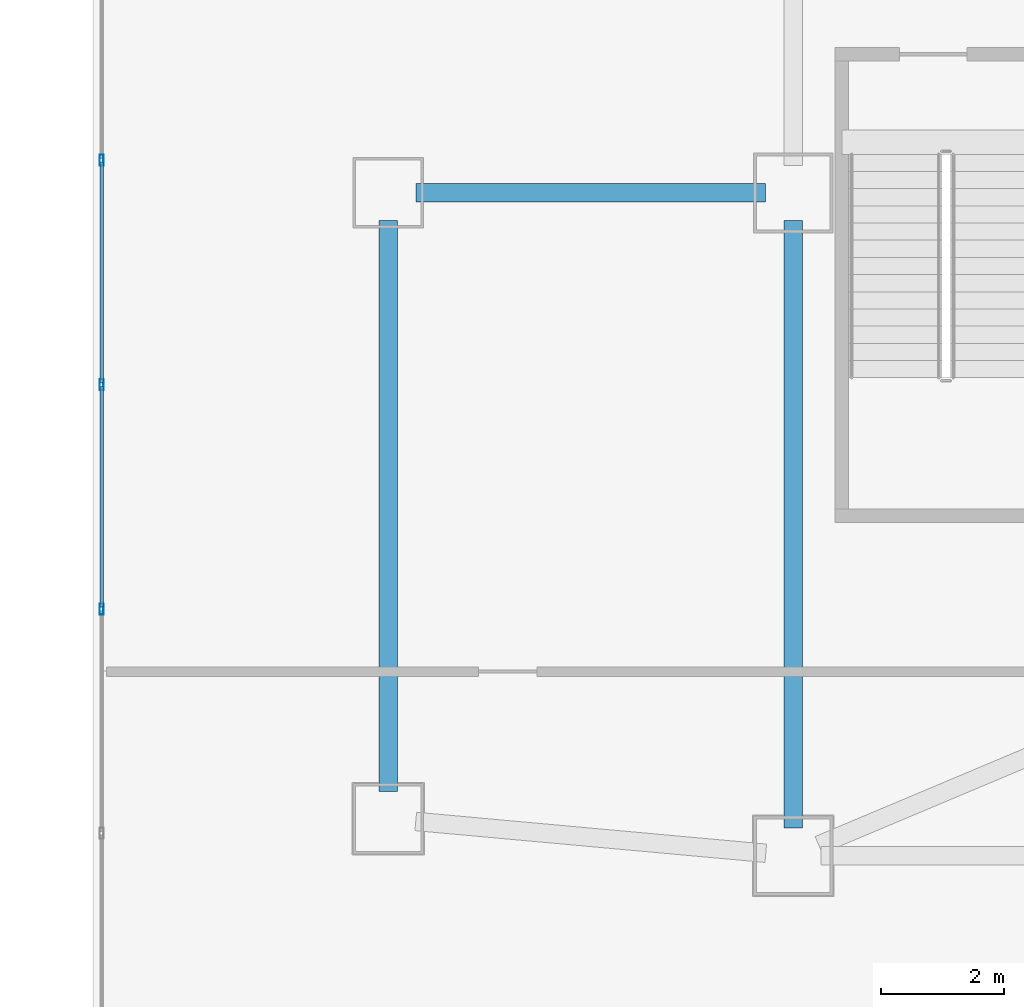
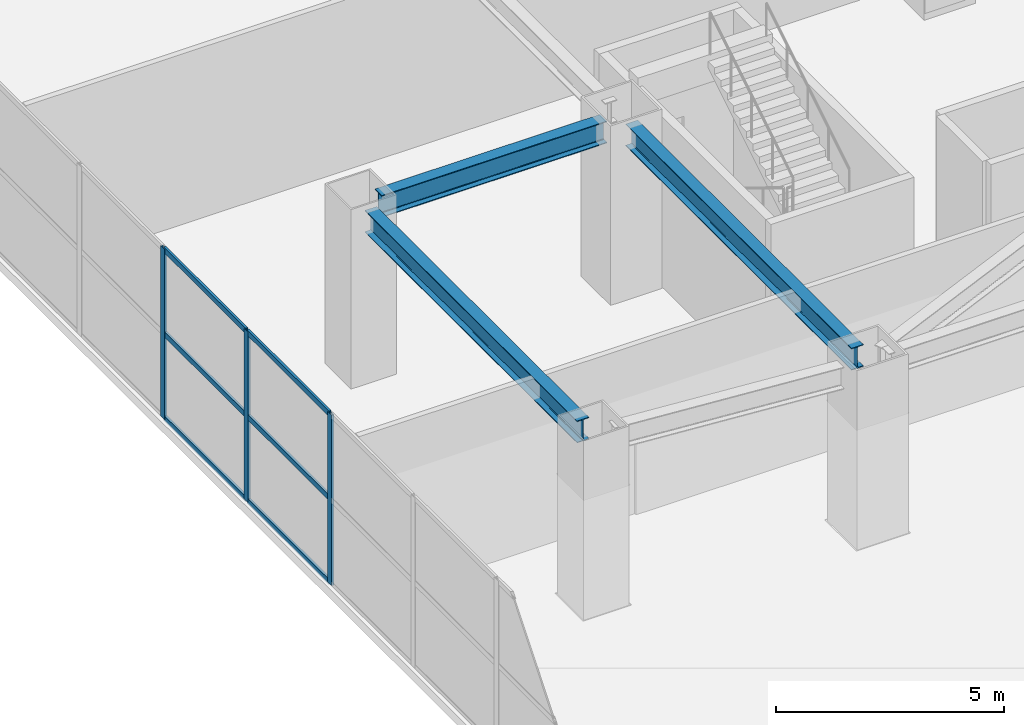
# One storey, part 6 of 31: 9 members, 3 beams, 1 element without a shape of its own.
"""IFC4 building model written with IfcOpenShell, lengths in metres."""

import ifcopenshell
import ifcopenshell.guid

model = None  # the IFC model being written
_history = None  # IfcOwnerHistory: only IFC2X3 demands one
_inside = {}  # id of a spatial element -> (the spatial element, [elements in it])
_under = {}  # id of a project, library or spatial element -> (it, [spatial elements below it])
_declared = {}  # id of a project -> (the project, [libraries it declares])
_typed = {}  # id of a type object -> (the type object, [elements of that type])
_made_of = {}  # id of a material, layer set ... -> (it, [elements and type objects made of it])


def new_model(schema):
    """Start an empty IFC model of exactly this schema.

    Asked for "IFC4X3", IfcOpenShell would pick the latest addendum, in which some entities
    have other attributes; the version numbers below select the first issue.
    IFC2X3 requires an IfcOwnerHistory on every rooted entity: one is made here for all.
    """
    global model, _history
    if schema == "IFC4X3":
        model = ifcopenshell.file(schema_version=(4, 3, 0, 0))
    else:
        model = ifcopenshell.file(schema=schema)
    _inside.clear()
    _under.clear()
    _declared.clear()
    _typed.clear()
    _made_of.clear()
    _history = None
    if model.schema == "IFC2X3":
        org = make("IfcOrganization", Name="unknown")
        user = make(
            "IfcPersonAndOrganization",
            ThePerson=make("IfcPerson", FamilyName="unknown"),
            TheOrganization=org,
        )
        app = make(
            "IfcApplication",
            ApplicationDeveloper=org,
            Version="unknown",
            ApplicationFullName="unknown",
            ApplicationIdentifier="unknown",
        )
        _history = make(
            "IfcOwnerHistory",
            OwningUser=user,
            OwningApplication=app,
            ChangeAction="ADDED",
            CreationDate=0,
        )
    return model


def make(cls, **values):
    """One entity of the class cls with the attributes given. An attribute that is None is left unset."""
    return model.create_entity(
        cls, **{name: value for name, value in values.items() if value is not None}
    )


def rooted(cls, **values):
    """An entity with a GlobalId (a new one), such as an element, a storey or a relation."""
    return make(cls, GlobalId=ifcopenshell.guid.new(), OwnerHistory=_history, **values)


def si_unit(unit_type, name, prefix=None):
    """IfcSIUnit, for example si_unit("LENGTHUNIT", "METRE", prefix="MILLI")."""
    return make("IfcSIUnit", UnitType=unit_type, Prefix=prefix, Name=name)


def assignment(units):
    """IfcUnitAssignment: the units of a project."""
    return None if units is None else make("IfcUnitAssignment", Units=units)


def point(xyz):
    """IfcCartesianPoint."""
    return None if xyz is None else make("IfcCartesianPoint", Coordinates=xyz)


def direction(xyz):
    """IfcDirection."""
    return None if xyz is None else make("IfcDirection", DirectionRatios=xyz)


def frame(location, z_axis=None, x_axis=None):
    """IfcAxis2Placement3D, a coordinate frame: its origin and axes. An axis left out is left unset."""
    return make(
        "IfcAxis2Placement3D",
        Location=point(location),
        Axis=direction(z_axis),
        RefDirection=direction(x_axis),
    )


def frame_2d(location, x_axis=None):
    """IfcAxis2Placement2D, a coordinate frame in the plane: its origin and x axis."""
    return make(
        "IfcAxis2Placement2D", Location=point(location), RefDirection=direction(x_axis)
    )


def origin():
    """The frame at (0, 0, 0) with its axes left unset."""
    return frame((0.0, 0.0, 0.0))


def origin_2d():
    """The frame at (0, 0) in the plane with its x axis left unset."""
    return frame_2d((0.0, 0.0))


def place(relative_to, where):
    """IfcLocalPlacement: puts the frame where relative to a parent placement (None: the world)."""
    return make(
        "IfcLocalPlacement", PlacementRelTo=relative_to, RelativePlacement=where
    )


def context(
    kind, dimensions, precision=None, world=None, true_north=None, identifier=None
):
    """IfcGeometricRepresentationContext, for example the 3D "Model" context."""
    return make(
        "IfcGeometricRepresentationContext",
        ContextIdentifier=identifier,
        ContextType=kind,
        CoordinateSpaceDimension=dimensions,
        Precision=precision,
        WorldCoordinateSystem=world,
        TrueNorth=true_north,
    )


def subcontext(parent, identifier, kind, view, scale=None):
    """IfcGeometricRepresentationSubContext, for example "Body" below "Model"."""
    return make(
        "IfcGeometricRepresentationSubContext",
        ContextIdentifier=identifier,
        ContextType=kind,
        ParentContext=parent,
        TargetScale=scale,
        TargetView=view,
    )


def project(units=None, contexts=None):
    """IfcProject with its units and contexts."""
    return rooted(
        "IfcProject",
        Name="project",
        RepresentationContexts=contexts,
        UnitsInContext=assignment(units),
    )


def spatial(cls, under=None, at=None, **own):
    """A site, building, storey or space (cls), placed at a placement, below another one or the project."""
    s = rooted(cls, ObjectPlacement=at, **own)
    if under is not None:
        _under.setdefault(under.id(), (under, []))[1].append(s)
    return s


def profile(cls, at=None, kind="AREA", **sizes):
    """A parametric profile (cls). Its sizes go by their IFC names, for example OverallWidth=200.0."""
    return make(cls, ProfileType=kind, Position=at, **sizes)


def hollow_rectangle(**sizes):
    """IfcRectangleHollowProfileDef."""
    return profile("IfcRectangleHollowProfileDef", **sizes)


def i_section(**sizes):
    """IfcIShapeProfileDef."""
    return profile("IfcIShapeProfileDef", **sizes)


def extrude(swept, where, along, depth):
    """IfcExtrudedAreaSolid: the profile swept, set in the frame where, extruded along a direction by depth."""
    return make(
        "IfcExtrudedAreaSolid",
        SweptArea=swept,
        Position=where,
        ExtrudedDirection=direction(along),
        Depth=depth,
    )


def shape(context_of_items, identifier, shape_type, items):
    """IfcShapeRepresentation: the items that make up one representation, for example the "Body"."""
    return make(
        "IfcShapeRepresentation",
        ContextOfItems=context_of_items,
        RepresentationIdentifier=identifier,
        RepresentationType=shape_type,
        Items=items,
    )


def material(Name=None, Category=None):
    """IfcMaterial."""
    return make("IfcMaterial", Name=Name, Category=Category)


def layer(
    of_material, thickness, ventilated=None, Name=None, Category=None, Priority=None
):
    """IfcMaterialLayer: one layer of a wall or slab, of a material (None: an air gap)."""
    return make(
        "IfcMaterialLayer",
        Material=of_material,
        LayerThickness=thickness,
        IsVentilated=ventilated,
        Name=Name,
        Category=Category,
        Priority=Priority,
    )


def layer_set(layers, Name=None):
    """IfcMaterialLayerSet."""
    return make("IfcMaterialLayerSet", MaterialLayers=layers, LayerSetName=Name)


def material_profile(
    of_material, cross_section, Name=None, Category=None, Priority=None
):
    """IfcMaterialProfile: a cross section and its material."""
    return make(
        "IfcMaterialProfile",
        Name=Name,
        Material=of_material,
        Profile=cross_section,
        Priority=Priority,
        Category=Category,
    )


def profile_set(profiles, Name=None, composite=None):
    """IfcMaterialProfileSet."""
    return make(
        "IfcMaterialProfileSet",
        Name=Name,
        MaterialProfiles=profiles,
        CompositeProfile=composite,
    )


def made_of(thing, what):
    """Note that an element or type object is made of a material, layer set ...; save() writes the relation."""
    if what is not None:
        _made_of.setdefault(what.id(), (what, []))[1].append(thing)
    return thing


def type_object(cls, material=None, **own):
    """A type object (cls), such as IfcWallType, which elements share."""
    return made_of(rooted(cls, **own), material)


def element(
    cls,
    number,
    at=None,
    inside=None,
    cuts=None,
    type_object=None,
    material=None,
    context=None,
    identifier="Body",
    shape_type=None,
    held_by="IfcProductDefinitionShape",
    body=None,
    shapes=None,
    **own,
):
    """One element of the class cls, such as IfcWall. Its Tag is "e" and its number.

    at: its placement. inside: the storey or other place that contains it. cuts: it is an
    opening in that element (IfcRelVoidsElement). A single representation is given by context,
    identifier, shape_type and body (its items); several are given by shapes. held_by: the class
    of the entity that holds the representations. save() writes the other relations.
    """
    e = rooted(cls, Tag="e%d" % number, ObjectPlacement=at, **own)
    if body is not None:
        shapes = [shape(context, identifier, shape_type, body)]
    if shapes is not None:
        e.Representation = make(held_by, Representations=shapes)
    if inside is not None:
        _inside.setdefault(inside.id(), (inside, []))[1].append(e)
    if cuts is not None:
        rooted(
            "IfcRelVoidsElement", RelatingBuildingElement=cuts, RelatedOpeningElement=e
        )
    if type_object is not None:
        _typed.setdefault(type_object.id(), (type_object, []))[1].append(e)
    return made_of(e, material)


def aggregate(whole, parts):
    """IfcRelAggregates: a whole, such as a stair, and the parts it consists of."""
    return rooted("IfcRelAggregates", RelatingObject=whole, RelatedObjects=parts)


def save(model, path):
    """Write the relations noted so far, then the file.

    IfcRelAggregates (storeys below a building ...), IfcRelContainedInSpatialStructure (elements
    in a storey), IfcRelDefinesByType, IfcRelAssociatesMaterial and IfcRelDeclares: one each for
    every whole, place, type object, material and project.
    """
    for whole, parts in _under.values():
        aggregate(whole, parts)
    for where, things in _inside.values():
        rooted(
            "IfcRelContainedInSpatialStructure",
            RelatedElements=things,
            RelatingStructure=where,
        )
    for kind, things in _typed.values():
        rooted("IfcRelDefinesByType", RelatedObjects=things, RelatingType=kind)
    for what, things in _made_of.values():
        rooted("IfcRelAssociatesMaterial", RelatedObjects=things, RelatingMaterial=what)
    for by, libraries in _declared.values():
        rooted("IfcRelDeclares", RelatingContext=by, RelatedDefinitions=libraries)
    model.write(path)


model = new_model("IFC4")

# Units and contexts
model_context = context("Model", 3, precision=1e-05, world=origin(), true_north=direction((0.0, 1.0)))
body_context = subcontext(model_context, "Body", "Model", "MODEL_VIEW")
ifc_project = project(units=[si_unit("LENGTHUNIT", "METRE"), si_unit("AREAUNIT", "SQUARE_METRE"), si_unit("VOLUMEUNIT", "CUBIC_METRE"), si_unit("PLANEANGLEUNIT", "RADIAN"), si_unit("MASSUNIT", "GRAM", prefix="KILO")], contexts=[model_context])

# Site, building, storey
site_placement = place(None, origin())
site = spatial("IfcSite", under=ifc_project, at=site_placement, CompositionType="ELEMENT")
building_placement = place(site_placement, origin())
building = spatial("IfcBuilding", under=site, at=building_placement, Name="Haolan Belvedere Tower", CompositionType="ELEMENT")
storey_placement = place(building_placement, frame((0.0, 0.0, 5.39990234375)))
storey = spatial("IfcBuildingStorey", under=building, at=storey_placement, Name="L01", CompositionType="ELEMENT", Elevation=5.39990234375)

# Beams
ifc_material_1 = material(Name="Steel Q355B", Category="steel")
ifc_material_profile_1 = material_profile(ifc_material_1, i_section(OverallWidth=0.300048828125, OverallDepth=0.587890625, WebThickness=0.011962890625, FlangeThickness=0.02001953125, FilletRadius=0.028076171875, at=origin_2d()), Name="Steel Q355B")
ifc_profile_set_1 = profile_set([ifc_material_profile_1], Name="Steel Q355B")
beam_type = type_object("IfcBeamType", Name="BM-HM588x300x12x20", PredefinedType="SPANDREL", material=ifc_profile_set_1)
beam_1_placement = place(storey_placement, frame((12.60009765625, 17.25, 4.26611328125), z_axis=(0.0, 1.0, 0.0), x_axis=(-1.0, 0.0, 0.0)))
element("IfcBeam", 1, at=beam_1_placement, inside=storey, type_object=beam_type, Name="L01 spandrel girder MC-T2-SW-MC-T2-MW", PredefinedType="SPANDREL", context=body_context, shape_type="SweptSolid", body=[
    extrude(i_section(OverallWidth=0.300048828125, OverallDepth=0.587890625, WebThickness=0.011962890625, FlangeThickness=0.02001953125, FilletRadius=0.028076171875, at=origin_2d()), origin(), (0.0, 0.0, 1.0), 9.89990234375),
])
beam_2_placement = place(storey_placement, frame((6.0, 17.85009765625, 4.26611328125), z_axis=(0.0, 1.0, 0.0), x_axis=(-1.0, 0.0, 0.0)))
element("IfcBeam", 2, at=beam_2_placement, inside=storey, type_object=beam_type, Name="L01 spandrel girder MC-T1-SW-MC-T1-NW", PredefinedType="SPANDREL", context=body_context, shape_type="SweptSolid", body=[
    extrude(i_section(OverallWidth=0.300048828125, OverallDepth=0.587890625, WebThickness=0.011962890625, FlangeThickness=0.02001953125, FilletRadius=0.028076171875, at=origin_2d()), origin(), (0.0, 0.0, 1.0), 9.2998046875),
])
beam_3_placement = place(storey_placement, frame((6.449951171875, 27.60009765625, 4.26611328125), z_axis=(1.0, 0.0, 0.0), x_axis=(0.0, 1.0, 0.0)))
element("IfcBeam", 3, at=beam_3_placement, inside=storey, type_object=beam_type, Name="L01 spandrel girder MC-T1-NW-MC-T2-MW", PredefinedType="SPANDREL", context=body_context, shape_type="SweptSolid", body=[
    extrude(i_section(OverallWidth=0.300048828125, OverallDepth=0.587890625, WebThickness=0.011962890625, FlangeThickness=0.02001953125, FilletRadius=0.028076171875, at=origin_2d()), origin(), (0.0, 0.0, 1.0), 5.699951171875),
])

# Curtain wall, members
ifc_material_2 = material(Name="Anodised champagne-silver aluminium 6063-T6 and Low-E glass", Category="aluminium")
ifc_layer = layer(ifc_material_2, 0.179931640625, Name="Anodised champagne-silver aluminium 6063-T6 and Low-E glass")
ifc_layer_set = layer_set([ifc_layer], Name="Anodised champagne-silver aluminium 6063-T6 and Low-E glass")
curtain_wall_type = type_object("IfcCurtainWallType", Name="CW-SYS-01", PredefinedType="NOTDEFINED", material=ifc_layer_set)
curtain_wall_placement = place(storey_placement, origin())
curtain_wall = element("IfcCurtainWall", 4, at=curtain_wall_placement, inside=storey, type_object=curtain_wall_type, Name="L01 CW-SYS-01 ribbon curtain wall 4.1", PredefinedType="NOTDEFINED")
ifc_material_3 = material(Name="Anodised aluminium 6063-T6", Category="aluminium")
ifc_material_profile_2 = material_profile(ifc_material_3, hollow_rectangle(XDim=0.06494140625, YDim=0.179931640625, WallThickness=0.00390625, at=origin_2d()), Name="Anodised aluminium 6063-T6")
ifc_profile_set_2 = profile_set([ifc_material_profile_2], Name="Anodised aluminium 6063-T6")
member_type_1 = type_object("IfcMemberType", Name="CW-SYS-01-MUL", PredefinedType="MULLION", material=ifc_profile_set_2)
member_1_placement = place(storey_placement, frame((1.330078125, 28.133544921875, 0.0), z_axis=(0.0, 0.0, 1.0), x_axis=(1.0, 0.0, 0.0)))
member_1 = element("IfcMember", 5, at=member_1_placement, type_object=member_type_1, Name="CW-01 mullion 8", PredefinedType="MULLION", context=body_context, shape_type="SweptSolid", body=[
    extrude(hollow_rectangle(XDim=0.06494140625, YDim=0.179931640625, WallThickness=0.00390625, at=origin_2d()), origin(), (0.0, 0.0, 1.0), 4.56005859375),
])
member_2_placement = place(storey_placement, frame((1.330078125, 24.47705078125, 0.0), z_axis=(0.0, 0.0, 1.0), x_axis=(1.0, 0.0, 0.0)))
member_2 = element("IfcMember", 6, at=member_2_placement, type_object=member_type_1, Name="CW-01 mullion 9", PredefinedType="MULLION", context=body_context, shape_type="SweptSolid", body=[
    extrude(hollow_rectangle(XDim=0.06494140625, YDim=0.179931640625, WallThickness=0.00390625, at=origin_2d()), origin(), (0.0, 0.0, 1.0), 4.56005859375),
])
member_3_placement = place(storey_placement, frame((1.330078125, 20.8203125, 0.0), z_axis=(0.0, 0.0, 1.0), x_axis=(1.0, 0.0, 0.0)))
member_3 = element("IfcMember", 7, at=member_3_placement, type_object=member_type_1, Name="CW-01 mullion 10", PredefinedType="MULLION", context=body_context, shape_type="SweptSolid", body=[
    extrude(hollow_rectangle(XDim=0.06494140625, YDim=0.179931640625, WallThickness=0.00390625, at=origin_2d()), origin(), (0.0, 0.0, 1.0), 4.56005859375),
])
ifc_material_profile_3 = material_profile(ifc_material_3, hollow_rectangle(XDim=0.06005859375, YDim=0.139892578125, WallThickness=0.00390625, at=origin_2d()), Name="Anodised aluminium 6063-T6")
ifc_profile_set_3 = profile_set([ifc_material_profile_3], Name="Anodised aluminium 6063-T6")
member_type_2 = type_object("IfcMemberType", Name="CW-SYS-01-TRN", PredefinedType="USERDEFINED", material=ifc_profile_set_3)
member_4_placement = place(storey_placement, frame((1.330078125, 28.10107421875, 0.030029296875), z_axis=(0.0, -1.0, 0.0), x_axis=(1.0, 0.0, 0.0)))
member_4 = element("IfcMember", 8, at=member_4_placement, type_object=member_type_2, Name="CW-01 transom 8.1", ObjectType="TRANSOM", PredefinedType="USERDEFINED", context=body_context, shape_type="SweptSolid", body=[
    extrude(hollow_rectangle(XDim=0.06005859375, YDim=0.139892578125, WallThickness=0.00390625, at=origin_2d()), origin(), (0.0, 0.0, 1.0), 3.591552734375),
])
member_5_placement = place(storey_placement, frame((1.330078125, 28.10107421875, 2.280029296875), z_axis=(0.0, -1.0, 0.0), x_axis=(1.0, 0.0, 0.0)))
member_5 = element("IfcMember", 9, at=member_5_placement, type_object=member_type_2, Name="CW-01 transom 8.2", ObjectType="TRANSOM", PredefinedType="USERDEFINED", context=body_context, shape_type="SweptSolid", body=[
    extrude(hollow_rectangle(XDim=0.06005859375, YDim=0.139892578125, WallThickness=0.00390625, at=origin_2d()), origin(), (0.0, 0.0, 1.0), 3.591552734375),
])
member_6_placement = place(storey_placement, frame((1.330078125, 28.10107421875, 4.530029296875), z_axis=(0.0, -1.0, 0.0), x_axis=(1.0, 0.0, 0.0)))
member_6 = element("IfcMember", 10, at=member_6_placement, type_object=member_type_2, Name="CW-01 transom 8.3", ObjectType="TRANSOM", PredefinedType="USERDEFINED", context=body_context, shape_type="SweptSolid", body=[
    extrude(hollow_rectangle(XDim=0.06005859375, YDim=0.139892578125, WallThickness=0.00390625, at=origin_2d()), origin(), (0.0, 0.0, 1.0), 3.591552734375),
])
member_7_placement = place(storey_placement, frame((1.330078125, 24.4443359375, 0.030029296875), z_axis=(0.0, -1.0, 0.0), x_axis=(1.0, 0.0, 0.0)))
member_7 = element("IfcMember", 11, at=member_7_placement, type_object=member_type_2, Name="CW-01 transom 9.1", ObjectType="TRANSOM", PredefinedType="USERDEFINED", context=body_context, shape_type="SweptSolid", body=[
    extrude(hollow_rectangle(XDim=0.06005859375, YDim=0.139892578125, WallThickness=0.00390625, at=origin_2d()), origin(), (0.0, 0.0, 1.0), 3.591552734375),
])
member_8_placement = place(storey_placement, frame((1.330078125, 24.4443359375, 2.280029296875), z_axis=(0.0, -1.0, 0.0), x_axis=(1.0, 0.0, 0.0)))
member_8 = element("IfcMember", 12, at=member_8_placement, type_object=member_type_2, Name="CW-01 transom 9.2", ObjectType="TRANSOM", PredefinedType="USERDEFINED", context=body_context, shape_type="SweptSolid", body=[
    extrude(hollow_rectangle(XDim=0.06005859375, YDim=0.139892578125, WallThickness=0.00390625, at=origin_2d()), origin(), (0.0, 0.0, 1.0), 3.591552734375),
])
member_9_placement = place(storey_placement, frame((1.330078125, 24.4443359375, 4.530029296875), z_axis=(0.0, -1.0, 0.0), x_axis=(1.0, 0.0, 0.0)))
member_9 = element("IfcMember", 13, at=member_9_placement, type_object=member_type_2, Name="CW-01 transom 9.3", ObjectType="TRANSOM", PredefinedType="USERDEFINED", context=body_context, shape_type="SweptSolid", body=[
    extrude(hollow_rectangle(XDim=0.06005859375, YDim=0.139892578125, WallThickness=0.00390625, at=origin_2d()), origin(), (0.0, 0.0, 1.0), 3.591552734375),
])
aggregate(curtain_wall, [member_1, member_2, member_3, member_4, member_5, member_6, member_7, member_8, member_9])

save(model, "model.ifc")
